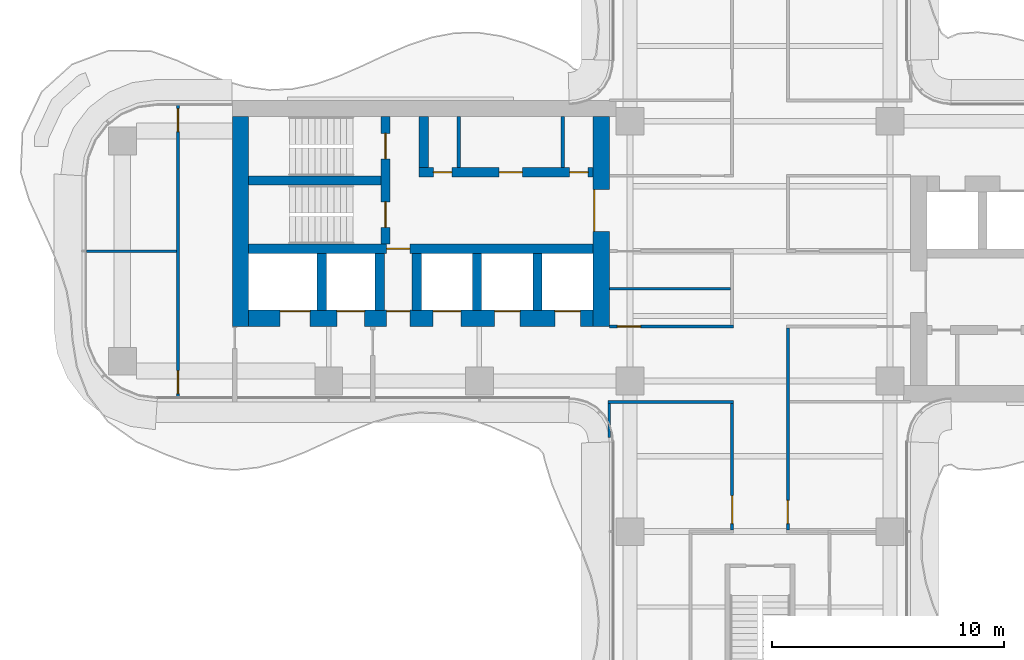
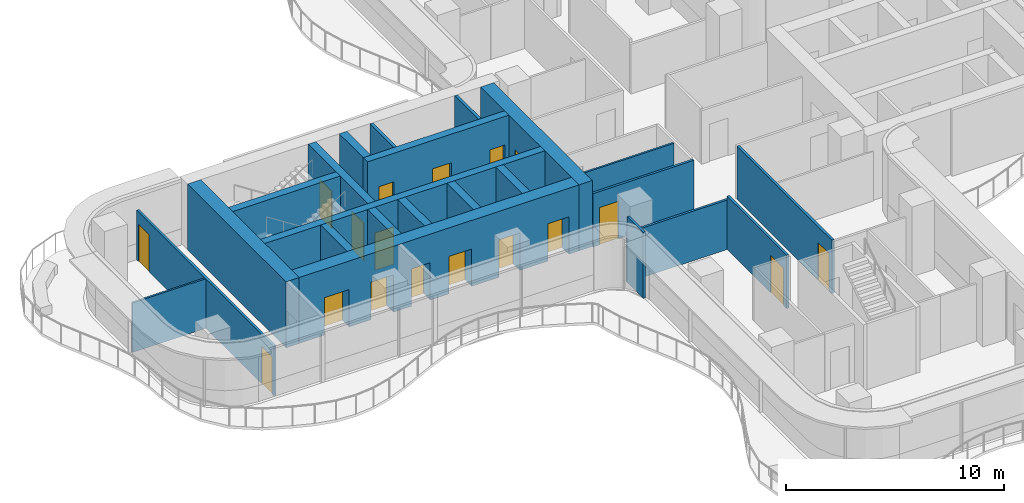
# One storey, part 13 of 18: 23 walls, 18 doors, 18 openings.
"""IFC4 building model written with IfcOpenShell, lengths in metres."""

from ifc_helpers import new_model, si_unit, direction, frame, frame_2d, origin, place, context, subcontext, project, spatial, rectangle, extrude, source, transform, mapped, material, layer, layer_set, type_object, element, fill, save


model = new_model("IFC4")

# Units and contexts
model_context = context("Model", 3, precision=1e-05, world=origin(), true_north=direction((0.0, 1.0)))
body_context = subcontext(model_context, "Body", "Model", "MODEL_VIEW")
ifc_project = project(units=[si_unit("LENGTHUNIT", "METRE"), si_unit("AREAUNIT", "SQUARE_METRE"), si_unit("VOLUMEUNIT", "CUBIC_METRE"), si_unit("PLANEANGLEUNIT", "RADIAN"), si_unit("MASSUNIT", "GRAM", prefix="KILO")], contexts=[model_context])

# Site, building, storey
site_placement = place(None, origin())
site = spatial("IfcSite", under=ifc_project, at=site_placement, CompositionType="ELEMENT")
building_placement = place(site_placement, origin())
building = spatial("IfcBuilding", under=site, at=building_placement, Name="Trellis Farm Tower", CompositionType="ELEMENT")
storey_placement = place(building_placement, frame((0.0, 0.0, 201.0)))
storey = spatial("IfcBuildingStorey", under=building, at=storey_placement, Name="L44", CompositionType="ELEMENT", Elevation=201.0)

# Wall, opening, door
ifc_material_1 = material(Name="Concrete C70/85", Category="concrete")
ifc_layer_1 = layer(ifc_material_1, 0.699951171875)
ifc_layer_set_1 = layer_set([ifc_layer_1], Name="CORE OUTER WALL 700 CONCRETE C70/85")
wall_type_1 = type_object("IfcWallType", Name="CORE OUTER WALL 700 CONCRETE C70/85", PredefinedType="SHEAR", material=ifc_layer_set_1)
shared_shape_1 = source(origin(), body_context, "Body", "SweptSolid", [
    extrude(rectangle(XDim=9.050048828125, YDim=0.699951171875, at=frame_2d((4.52490234375, 0.0))), origin(), (0.0, 0.0, 1.0), 3.699951171875),
])
wall_1_placement = place(storey_placement, frame((-6.85009765625, 5.800048828125, 0.0), z_axis=(0.0, 0.0, 1.0), x_axis=(0.0, -1.0, 0.0)))
wall_1 = element("IfcWall", 1, at=wall_1_placement, inside=storey, type_object=wall_type_1, Name="Core wall", PredefinedType="SHEAR", context=body_context, shape_type="MappedRepresentation", body=[
    mapped(shared_shape_1, transform((0.0, 0.0, 0.0))),
])
shared_shape_2 = source(origin(), body_context, "Body", "SweptSolid", [
    extrude(rectangle(XDim=1.800048828125, YDim=2.10009765625, at=frame_2d((0.89990234375, 1.050048828125))), frame((0.0, 0.360107421875, 0.0), z_axis=(0.0, -1.0, 0.0), x_axis=(1.0, 0.0, 0.0)), (0.0, 0.0, 1.0), 0.72021484375),
])
opening_1_placement = place(wall_1_placement, frame((3.14990234375, 0.0, 0.0)))
opening_1 = element("IfcOpeningElement", 2, at=opening_1_placement, cuts=wall_1, Name="Opening DC87", PredefinedType="OPENING", context=body_context, shape_type="MappedRepresentation", body=[
    mapped(shared_shape_2, transform((0.0, 0.0, 0.0))),
])
ifc_material_2 = material(Name="Steel", Category="steel")
door_type_1 = type_object("IfcDoorType", Name="CORE FIRE DOOR DOUBLE 1800 X 2100", OperationType="DOUBLE_DOOR_SINGLE_SWING", PredefinedType="DOOR", material=ifc_material_2)
shared_shape_3 = source(origin(), body_context, "Body", "SweptSolid", [
    extrude(rectangle(XDim=1.800048828125, YDim=2.10009765625, at=frame_2d((0.89990234375, 1.050048828125))), frame((0.0, -0.27490234375, 0.0), z_axis=(0.0, -1.0, 0.0), x_axis=(1.0, 0.0, 0.0)), (0.0, 0.0, 1.0), 0.050048828125),
])
door_1_placement = place(opening_1_placement, origin())
door_1 = element("IfcDoor", 3, at=door_1_placement, inside=storey, type_object=door_type_1, Name="Core door", OperationType="DOUBLE_DOOR_SINGLE_SWING", OverallHeight=2.10009765625, OverallWidth=1.800048828125, PredefinedType="DOOR", context=body_context, shape_type="MappedRepresentation", body=[
    mapped(shared_shape_3, transform((0.0, 0.0, 0.0))),
])
fill(opening_1, door_1)

# Walls
wall_2_placement = place(storey_placement, frame((-22.39990234375, 5.800048828125, 0.0), z_axis=(0.0, 0.0, 1.0), x_axis=(0.0, -1.0, 0.0)))
element("IfcWall", 4, at=wall_2_placement, inside=storey, type_object=wall_type_1, Name="Core wall", PredefinedType="SHEAR", context=body_context, shape_type="MappedRepresentation", body=[
    mapped(shared_shape_1, transform((0.0, 0.0, 0.0))),
])
ifc_layer_2 = layer(ifc_material_1, 0.39990234375)
ifc_layer_set_2 = layer_set([ifc_layer_2], Name="CORE INNER WALL 400 CONCRETE C70/85")
wall_type_2 = type_object("IfcWallType", Name="CORE INNER WALL 400 CONCRETE C70/85", PredefinedType="SHEAR", material=ifc_layer_set_2)
shared_shape_4 = source(origin(), body_context, "Body", "SweptSolid", [
    extrude(rectangle(XDim=2.449951171875, YDim=0.39990234375, at=frame_2d((1.22509765625, 0.0))), origin(), (0.0, 0.0, 1.0), 3.699951171875),
])
for number, where, z_axis, x_axis, name in (
    (5, (-9.60009765625, -0.10009765625, 0.0), (0.0, 0.0, 1.0), (0.0, -1.0, 0.0), "Core wall"),
    (6, (-12.199951171875, -0.10009765625, 0.0), (0.0, 0.0, 1.0), (0.0, -1.0, 0.0), "Core wall"),
    (7, (-14.800048828125, -0.10009765625, 0.0), (0.0, 0.0, 1.0), (0.0, -1.0, 0.0), "Core wall"),
    (8, (-16.39990234375, -0.10009765625, 0.0), (0.0, 0.0, 1.0), (0.0, -1.0, 0.0), "Core wall"),
    (9, (-18.89990234375, -0.10009765625, 0.0), (0.0, 0.0, 1.0), (0.0, -1.0, 0.0), "Core wall"),
):
    element("IfcWall", number, at=place(storey_placement, frame(where, z_axis=z_axis, x_axis=x_axis)), inside=storey, type_object=wall_type_2, Name=name, PredefinedType="SHEAR", context=body_context, shape_type="MappedRepresentation", body=[
        mapped(shared_shape_4, transform((0.0, 0.0, 0.0))),
    ])

# Wall, openings, doors
shared_shape_5 = source(origin(), body_context, "Body", "SweptSolid", [
    extrude(rectangle(XDim=14.85009765625, YDim=0.699951171875, at=frame_2d((7.425048828125, 0.0))), origin(), (0.0, 0.0, 1.0), 3.699951171875),
])
wall_3_placement = place(storey_placement, frame((-7.199951171875, -2.89990234375, 0.0), z_axis=(0.0, 0.0, 1.0), x_axis=(-1.0, 0.0, 0.0)))
wall_3 = element("IfcWall", 10, at=wall_3_placement, inside=storey, type_object=wall_type_1, Name="Core wall", PredefinedType="SHEAR", context=body_context, shape_type="MappedRepresentation", body=[
    mapped(shared_shape_5, transform((0.0, 0.0, 0.0))),
])
shared_shape_6 = source(origin(), body_context, "Body", "SweptSolid", [
    extrude(rectangle(XDim=1.10009765625, YDim=2.10009765625, at=frame_2d((0.550048828125, 1.050048828125))), frame((0.0, 0.360107421875, 0.0), z_axis=(0.0, -1.0, 0.0), x_axis=(1.0, 0.0, 0.0)), (0.0, 0.0, 1.0), 0.72021484375),
])
opening_2_placement = place(wall_3_placement, frame((0.550048828125, 0.0, 0.0)))
opening_2 = element("IfcOpeningElement", 11, at=opening_2_placement, cuts=wall_3, Name="Opening LD12", PredefinedType="OPENING", context=body_context, shape_type="MappedRepresentation", body=[
    mapped(shared_shape_6, transform((0.0, 0.0, 0.0))),
])
opening_3_placement = place(wall_3_placement, frame((3.14990234375, 0.0, 0.0)))
opening_3 = element("IfcOpeningElement", 12, at=opening_3_placement, cuts=wall_3, Name="Opening LD13", PredefinedType="OPENING", context=body_context, shape_type="MappedRepresentation", body=[
    mapped(shared_shape_6, transform((0.0, 0.0, 0.0))),
])
shared_shape_7 = source(origin(), body_context, "Body", "SweptSolid", [
    extrude(rectangle(XDim=1.199951171875, YDim=2.10009765625, at=frame_2d((0.60009765625, 1.050048828125))), frame((0.0, 0.360107421875, 0.0), z_axis=(0.0, -1.0, 0.0), x_axis=(1.0, 0.0, 0.0)), (0.0, 0.0, 1.0), 0.72021484375),
])
opening_4_placement = place(wall_3_placement, frame((5.699951171875, 0.0, 0.0)))
opening_4 = element("IfcOpeningElement", 13, at=opening_4_placement, cuts=wall_3, Name="Opening LD14", PredefinedType="OPENING", context=body_context, shape_type="MappedRepresentation", body=[
    mapped(shared_shape_7, transform((0.0, 0.0, 0.0))),
])
shared_shape_8 = source(origin(), body_context, "Body", "SweptSolid", [
    extrude(rectangle(XDim=1.300048828125, YDim=2.10009765625, at=frame_2d((0.64990234375, 1.050048828125))), frame((0.0, 0.360107421875, 0.0), z_axis=(0.0, -1.0, 0.0), x_axis=(1.0, 0.0, 0.0)), (0.0, 0.0, 1.0), 0.72021484375),
])
opening_5_placement = place(wall_3_placement, frame((12.199951171875, 0.0, 0.0)))
opening_5 = element("IfcOpeningElement", 14, at=opening_5_placement, cuts=wall_3, Name="Opening LD15", PredefinedType="OPENING", context=body_context, shape_type="MappedRepresentation", body=[
    mapped(shared_shape_8, transform((0.0, 0.0, 0.0))),
])
opening_6_placement = place(wall_3_placement, frame((9.85009765625, 0.0, 0.0)))
opening_6 = element("IfcOpeningElement", 15, at=opening_6_placement, cuts=wall_3, Name="Opening LD16", PredefinedType="OPENING", context=body_context, shape_type="MappedRepresentation", body=[
    mapped(shared_shape_7, transform((0.0, 0.0, 0.0))),
])
shared_shape_9 = source(origin(), body_context, "Body", "SweptSolid", [
    extrude(rectangle(XDim=1.0, YDim=2.10009765625, at=frame_2d((0.5, 1.050048828125))), frame((0.0, 0.360107421875, 0.0), z_axis=(0.0, -1.0, 0.0), x_axis=(1.0, 0.0, 0.0)), (0.0, 0.0, 1.0), 0.72021484375),
])
opening_7_placement = place(wall_3_placement, frame((7.89990234375, 0.0, 0.0)))
opening_7 = element("IfcOpeningElement", 16, at=opening_7_placement, cuts=wall_3, Name="Opening DC92", PredefinedType="OPENING", context=body_context, shape_type="MappedRepresentation", body=[
    mapped(shared_shape_9, transform((0.0, 0.0, 0.0))),
])
door_type_2 = type_object("IfcDoorType", Name="CORE FIRE DOOR 1000 X 2100", OperationType="NOTDEFINED", PredefinedType="DOOR", material=ifc_material_2)
shared_shape_10 = source(origin(), body_context, "Body", "SweptSolid", [
    extrude(rectangle(XDim=1.0, YDim=2.10009765625, at=frame_2d((0.5, 1.050048828125))), frame((0.0, -0.27490234375, 0.0), z_axis=(0.0, -1.0, 0.0), x_axis=(1.0, 0.0, 0.0)), (0.0, 0.0, 1.0), 0.050048828125),
])
door_2_placement = place(opening_7_placement, origin())
door_2 = element("IfcDoor", 17, at=door_2_placement, inside=storey, type_object=door_type_2, Name="Core door", OperationType="SINGLE_SWING_LEFT", OverallHeight=2.10009765625, OverallWidth=1.0, PredefinedType="DOOR", context=body_context, shape_type="MappedRepresentation", body=[
    mapped(shared_shape_10, transform((0.0, 0.0, 0.0))),
])
fill(opening_7, door_2)
ifc_material_3 = material(Name="Stainless steel", Category="steel")
door_type_3 = type_object("IfcDoorType", Name="LIFT LANDING DOOR 1300 X 2100", OperationType="DOUBLE_DOOR_SLIDING", PredefinedType="DOOR", material=ifc_material_3)
shared_shape_11 = source(origin(), body_context, "Body", "SweptSolid", [
    extrude(rectangle(XDim=1.300048828125, YDim=2.10009765625, at=frame_2d((0.64990234375, 1.050048828125))), frame((0.0, -0.27490234375, 0.0), z_axis=(0.0, -1.0, 0.0), x_axis=(1.0, 0.0, 0.0)), (0.0, 0.0, 1.0), 0.050048828125),
])
door_3_placement = place(opening_5_placement, origin())
door_3 = element("IfcDoor", 18, at=door_3_placement, inside=storey, type_object=door_type_3, Name="Lift landing door", OperationType="DOUBLE_DOOR_SLIDING", OverallHeight=2.10009765625, OverallWidth=1.300048828125, PredefinedType="DOOR", context=body_context, shape_type="MappedRepresentation", body=[
    mapped(shared_shape_11, transform((0.0, 0.0, 0.0))),
])
fill(opening_5, door_3)
door_type_4 = type_object("IfcDoorType", Name="LIFT LANDING DOOR 1200 X 2100", OperationType="DOUBLE_DOOR_SLIDING", PredefinedType="DOOR", material=ifc_material_3)
shared_shape_12 = source(origin(), body_context, "Body", "SweptSolid", [
    extrude(rectangle(XDim=1.199951171875, YDim=2.10009765625, at=frame_2d((0.60009765625, 1.050048828125))), frame((0.0, -0.27490234375, 0.0), z_axis=(0.0, -1.0, 0.0), x_axis=(1.0, 0.0, 0.0)), (0.0, 0.0, 1.0), 0.050048828125),
])
door_4_placement = place(opening_4_placement, origin())
door_4 = element("IfcDoor", 19, at=door_4_placement, inside=storey, type_object=door_type_4, Name="Lift landing door", OperationType="DOUBLE_DOOR_SLIDING", OverallHeight=2.10009765625, OverallWidth=1.199951171875, PredefinedType="DOOR", context=body_context, shape_type="MappedRepresentation", body=[
    mapped(shared_shape_12, transform((0.0, 0.0, 0.0))),
])
fill(opening_4, door_4)
door_5_placement = place(opening_6_placement, origin())
door_5 = element("IfcDoor", 20, at=door_5_placement, inside=storey, type_object=door_type_4, Name="Lift landing door", OperationType="DOUBLE_DOOR_SLIDING", OverallHeight=2.10009765625, OverallWidth=1.199951171875, PredefinedType="DOOR", context=body_context, shape_type="MappedRepresentation", body=[
    mapped(shared_shape_12, transform((0.0, 0.0, 0.0))),
])
fill(opening_6, door_5)
door_type_5 = type_object("IfcDoorType", Name="LIFT LANDING DOOR 1100 X 2100", OperationType="DOUBLE_DOOR_SLIDING", PredefinedType="DOOR", material=ifc_material_3)
shared_shape_13 = source(origin(), body_context, "Body", "SweptSolid", [
    extrude(rectangle(XDim=1.10009765625, YDim=2.10009765625, at=frame_2d((0.550048828125, 1.050048828125))), frame((0.0, -0.27490234375, 0.0), z_axis=(0.0, -1.0, 0.0), x_axis=(1.0, 0.0, 0.0)), (0.0, 0.0, 1.0), 0.050048828125),
])
door_6_placement = place(opening_2_placement, origin())
door_6 = element("IfcDoor", 21, at=door_6_placement, inside=storey, type_object=door_type_5, Name="Lift landing door", OperationType="DOUBLE_DOOR_SLIDING", OverallHeight=2.10009765625, OverallWidth=1.10009765625, PredefinedType="DOOR", context=body_context, shape_type="MappedRepresentation", body=[
    mapped(shared_shape_13, transform((0.0, 0.0, 0.0))),
])
fill(opening_2, door_6)
door_7_placement = place(opening_3_placement, origin())
door_7 = element("IfcDoor", 22, at=door_7_placement, inside=storey, type_object=door_type_5, Name="Lift landing door", OperationType="DOUBLE_DOOR_SLIDING", OverallHeight=2.10009765625, OverallWidth=1.10009765625, PredefinedType="DOOR", context=body_context, shape_type="MappedRepresentation", body=[
    mapped(shared_shape_13, transform((0.0, 0.0, 0.0))),
])
fill(opening_3, door_7)

shared_shape_14 = source(origin(), body_context, "Body", "SweptSolid", [
    extrude(rectangle(XDim=7.5, YDim=0.39990234375, at=frame_2d((3.75, 0.0))), origin(), (0.0, 0.0, 1.0), 3.699951171875),
])
wall_4_placement = place(storey_placement, frame((-7.199951171875, 3.39990234375, 0.0), z_axis=(0.0, 0.0, 1.0), x_axis=(-1.0, 0.0, 0.0)))
wall_4 = element("IfcWall", 23, at=wall_4_placement, inside=storey, type_object=wall_type_2, Name="Core wall", PredefinedType="SHEAR", context=body_context, shape_type="MappedRepresentation", body=[
    mapped(shared_shape_14, transform((0.0, 0.0, 0.0))),
])
shared_shape_15 = source(origin(), body_context, "Body", "SweptSolid", [
    extrude(rectangle(XDim=0.800048828125, YDim=2.10009765625, at=frame_2d((0.39990234375, 1.050048828125))), frame((0.0, 0.2099609375, 0.0), z_axis=(0.0, -1.0, 0.0), x_axis=(1.0, 0.0, 0.0)), (0.0, 0.0, 1.0), 0.419921875),
])
opening_8_placement = place(wall_4_placement, frame((0.21240234375, 0.0, 0.0)))
opening_8 = element("IfcOpeningElement", 24, at=opening_8_placement, cuts=wall_4, Name="Opening DC137", PredefinedType="OPENING", context=body_context, shape_type="MappedRepresentation", body=[
    mapped(shared_shape_15, transform((0.0, 0.0, 0.0))),
])
shared_shape_16 = source(origin(), body_context, "Body", "SweptSolid", [
    extrude(rectangle(XDim=1.0, YDim=2.10009765625, at=frame_2d((0.5, 1.050048828125))), frame((0.0, 0.2099609375, 0.0), z_axis=(0.0, -1.0, 0.0), x_axis=(1.0, 0.0, 0.0)), (0.0, 0.0, 1.0), 0.419921875),
])
opening_9_placement = place(wall_4_placement, frame((3.050048828125, 0.0, 0.0)))
opening_9 = element("IfcOpeningElement", 25, at=opening_9_placement, cuts=wall_4, Name="Opening DC148", PredefinedType="OPENING", context=body_context, shape_type="MappedRepresentation", body=[
    mapped(shared_shape_16, transform((0.0, 0.0, 0.0))),
])
opening_10_placement = place(wall_4_placement, frame((6.08740234375, 0.0, 0.0)))
opening_10 = element("IfcOpeningElement", 26, at=opening_10_placement, cuts=wall_4, Name="Opening DC149", PredefinedType="OPENING", context=body_context, shape_type="MappedRepresentation", body=[
    mapped(shared_shape_15, transform((0.0, 0.0, 0.0))),
])
shared_shape_17 = source(origin(), body_context, "Body", "SweptSolid", [
    extrude(rectangle(XDim=1.0, YDim=2.10009765625, at=frame_2d((0.5, 1.050048828125))), frame((0.0, 0.02490234375, 0.0), z_axis=(0.0, -1.0, 0.0), x_axis=(1.0, 0.0, 0.0)), (0.0, 0.0, 1.0), 0.050048828125),
])
door_8_placement = place(opening_9_placement, origin())
door_8 = element("IfcDoor", 27, at=door_8_placement, inside=storey, type_object=door_type_2, Name="Core door", OperationType="SINGLE_SWING_RIGHT", OverallHeight=2.10009765625, OverallWidth=1.0, PredefinedType="DOOR", context=body_context, shape_type="MappedRepresentation", body=[
    mapped(shared_shape_17, transform((0.0, 0.0, 0.0))),
])
fill(opening_9, door_8)
door_type_6 = type_object("IfcDoorType", Name="CORE FIRE DOOR 800 X 2100", OperationType="NOTDEFINED", PredefinedType="DOOR", material=ifc_material_2)
shared_shape_18 = source(origin(), body_context, "Body", "SweptSolid", [
    extrude(rectangle(XDim=0.800048828125, YDim=2.10009765625, at=frame_2d((0.39990234375, 1.050048828125))), frame((0.0, 0.02490234375, 0.0), z_axis=(0.0, -1.0, 0.0), x_axis=(1.0, 0.0, 0.0)), (0.0, 0.0, 1.0), 0.050048828125),
])
door_9_placement = place(opening_8_placement, origin())
door_9 = element("IfcDoor", 28, at=door_9_placement, inside=storey, type_object=door_type_6, Name="Core door", OperationType="SINGLE_SWING_LEFT", OverallHeight=2.10009765625, OverallWidth=0.800048828125, PredefinedType="DOOR", context=body_context, shape_type="MappedRepresentation", body=[
    mapped(shared_shape_18, transform((0.0, 0.0, 0.0))),
])
fill(opening_8, door_9)
door_10_placement = place(opening_10_placement, origin())
door_10 = element("IfcDoor", 29, at=door_10_placement, inside=storey, type_object=door_type_6, Name="Core door", OperationType="SINGLE_SWING_LEFT", OverallHeight=2.10009765625, OverallWidth=0.800048828125, PredefinedType="DOOR", context=body_context, shape_type="MappedRepresentation", body=[
    mapped(shared_shape_18, transform((0.0, 0.0, 0.0))),
])
fill(opening_10, door_10)

# Wall, opening, door
shared_shape_19 = source(origin(), body_context, "Body", "SweptSolid", [
    extrude(rectangle(XDim=14.85009765625, YDim=0.39990234375, at=frame_2d((7.425048828125, 0.0))), origin(), (0.0, 0.0, 1.0), 3.699951171875),
])
wall_5_placement = place(storey_placement, frame((-7.199951171875, 0.10009765625, 0.0), z_axis=(0.0, 0.0, 1.0), x_axis=(-1.0, 0.0, 0.0)))
wall_5 = element("IfcWall", 30, at=wall_5_placement, inside=storey, type_object=wall_type_2, Name="Core wall", PredefinedType="SHEAR", context=body_context, shape_type="MappedRepresentation", body=[
    mapped(shared_shape_19, transform((0.0, 0.0, 0.0))),
])
opening_11_placement = place(wall_5_placement, frame((7.89990234375, 0.0, 0.0)))
opening_11 = element("IfcOpeningElement", 31, at=opening_11_placement, cuts=wall_5, Name="Opening DC91", PredefinedType="OPENING", context=body_context, shape_type="MappedRepresentation", body=[
    mapped(shared_shape_16, transform((0.0, 0.0, 0.0))),
])
door_11_placement = place(opening_11_placement, origin())
door_11 = element("IfcDoor", 32, at=door_11_placement, inside=storey, type_object=door_type_2, Name="Core door", OperationType="SINGLE_SWING_RIGHT", OverallHeight=2.10009765625, OverallWidth=1.0, PredefinedType="DOOR", context=body_context, shape_type="MappedRepresentation", body=[
    mapped(shared_shape_17, transform((0.0, 0.0, 0.0))),
])
fill(opening_11, door_11)

# Wall, openings, doors
shared_shape_20 = source(origin(), body_context, "Body", "SweptSolid", [
    extrude(rectangle(XDim=5.5, YDim=0.39990234375, at=frame_2d((2.75, 0.0))), origin(), (0.0, 0.0, 1.0), 3.699951171875),
])
wall_6_placement = place(storey_placement, frame((-16.14990234375, 5.800048828125, 0.0), z_axis=(0.0, 0.0, 1.0), x_axis=(0.0, -1.0, 0.0)))
wall_6 = element("IfcWall", 33, at=wall_6_placement, inside=storey, type_object=wall_type_2, Name="Core wall", PredefinedType="SHEAR", context=body_context, shape_type="MappedRepresentation", body=[
    mapped(shared_shape_20, transform((0.0, 0.0, 0.0))),
])
shared_shape_21 = source(origin(), body_context, "Body", "SweptSolid", [
    extrude(rectangle(XDim=1.10009765625, YDim=2.10009765625, at=frame_2d((0.550048828125, 1.050048828125))), frame((0.0, 0.2099609375, 0.0), z_axis=(0.0, -1.0, 0.0), x_axis=(1.0, 0.0, 0.0)), (0.0, 0.0, 1.0), 0.419921875),
])
opening_12_placement = place(wall_6_placement, frame((0.72509765625, 0.0, 0.0)))
opening_12 = element("IfcOpeningElement", 34, at=opening_12_placement, cuts=wall_6, Name="Opening DC88", PredefinedType="OPENING", context=body_context, shape_type="MappedRepresentation", body=[
    mapped(shared_shape_21, transform((0.0, 0.0, 0.0))),
])
opening_13_placement = place(wall_6_placement, frame((3.675048828125, 0.0, 0.0)))
opening_13 = element("IfcOpeningElement", 35, at=opening_13_placement, cuts=wall_6, Name="Opening DC89", PredefinedType="OPENING", context=body_context, shape_type="MappedRepresentation", body=[
    mapped(shared_shape_21, transform((0.0, 0.0, 0.0))),
])
door_type_7 = type_object("IfcDoorType", Name="CORE FIRE DOOR 1100 X 2100", OperationType="NOTDEFINED", PredefinedType="DOOR", material=ifc_material_2)
shared_shape_22 = source(origin(), body_context, "Body", "SweptSolid", [
    extrude(rectangle(XDim=1.10009765625, YDim=2.10009765625, at=frame_2d((0.550048828125, 1.050048828125))), frame((0.0, 0.02490234375, 0.0), z_axis=(0.0, -1.0, 0.0), x_axis=(1.0, 0.0, 0.0)), (0.0, 0.0, 1.0), 0.050048828125),
])
door_12_placement = place(opening_12_placement, origin())
door_12 = element("IfcDoor", 36, at=door_12_placement, inside=storey, type_object=door_type_7, Name="Core door", OperationType="SINGLE_SWING_RIGHT", OverallHeight=2.10009765625, OverallWidth=1.10009765625, PredefinedType="DOOR", context=body_context, shape_type="MappedRepresentation", body=[
    mapped(shared_shape_22, transform((0.0, 0.0, 0.0))),
])
fill(opening_12, door_12)
door_13_placement = place(opening_13_placement, origin())
door_13 = element("IfcDoor", 37, at=door_13_placement, inside=storey, type_object=door_type_7, Name="Core door", OperationType="SINGLE_SWING_LEFT", OverallHeight=2.10009765625, OverallWidth=1.10009765625, PredefinedType="DOOR", context=body_context, shape_type="MappedRepresentation", body=[
    mapped(shared_shape_22, transform((0.0, 0.0, 0.0))),
])
fill(opening_13, door_13)

# Walls
shared_shape_23 = source(origin(), body_context, "Body", "SweptSolid", [
    extrude(rectangle(XDim=5.699951171875, YDim=0.39990234375, at=frame_2d((2.85009765625, 0.0))), origin(), (0.0, 0.0, 1.0), 3.699951171875),
])
wall_7_placement = place(storey_placement, frame((-16.35009765625, 3.050048828125, 0.0), z_axis=(0.0, 0.0, 1.0), x_axis=(-1.0, 0.0, 0.0)))
element("IfcWall", 38, at=wall_7_placement, inside=storey, type_object=wall_type_2, Name="Core wall", PredefinedType="SHEAR", context=body_context, shape_type="MappedRepresentation", body=[
    mapped(shared_shape_23, transform((0.0, 0.0, 0.0))),
])
shared_shape_24 = source(origin(), body_context, "Body", "SweptSolid", [
    extrude(rectangle(XDim=2.199951171875, YDim=0.39990234375, at=frame_2d((1.10009765625, 0.0))), origin(), (0.0, 0.0, 1.0), 3.699951171875),
])
wall_8_placement = place(storey_placement, frame((-14.5, 5.800048828125, 0.0), z_axis=(0.0, 0.0, 1.0), x_axis=(0.0, -1.0, 0.0)))
element("IfcWall", 39, at=wall_8_placement, inside=storey, type_object=wall_type_2, Name="Core wall", PredefinedType="SHEAR", context=body_context, shape_type="MappedRepresentation", body=[
    mapped(shared_shape_24, transform((0.0, 0.0, 0.0))),
])
ifc_material_4 = material(Name="Masonry blockwork", Category="masonry")
ifc_layer_3 = layer(ifc_material_4, 0.14990234375)
ifc_layer_set_3 = layer_set([ifc_layer_3], Name="CORE PARTITION 150 BLOCKWORK")
wall_type_3 = type_object("IfcWallType", Name="CORE PARTITION 150 BLOCKWORK", PredefinedType="PARTITIONING", material=ifc_layer_set_3)
shared_shape_25 = source(origin(), body_context, "Body", "SweptSolid", [
    extrude(rectangle(XDim=2.199951171875, YDim=0.14990234375, at=frame_2d((1.10009765625, 0.0))), origin(), (0.0, 0.0, 1.0), 3.699951171875),
])
for number, where, z_axis, x_axis, name in (
    (40, (-8.5, 5.800048828125, 0.0), (0.0, 0.0, 1.0), (0.0, -1.0, 0.0), "Core room partition"),
    (41, (-13.0, 5.800048828125, 0.0), (0.0, 0.0, 1.0), (0.0, -1.0, 0.0), "Core room partition"),
):
    element("IfcWall", number, at=place(storey_placement, frame(where, z_axis=z_axis, x_axis=x_axis)), inside=storey, type_object=wall_type_3, Name=name, PredefinedType="PARTITIONING", context=body_context, shape_type="MappedRepresentation", body=[
        mapped(shared_shape_25, transform((0.0, 0.0, 0.0))),
    ])

# Wall, opening, door
ifc_material_5 = material(Name="Plasterboard on steel studs, mineral wool", Category="steel")
ifc_layer_4 = layer(ifc_material_5, 0.125)
ifc_layer_set_4 = layer_set([ifc_layer_4], Name="PARTITION 125 STUD EI 60")
wall_type_4 = type_object("IfcWallType", Name="PARTITION 125 STUD EI 60", PredefinedType="PARTITIONING", material=ifc_layer_set_4)
shared_shape_26 = source(origin(), body_context, "Body", "SweptSolid", [
    extrude(rectangle(XDim=5.47509765625, YDim=0.125, at=frame_2d((2.737548828125, 0.0))), origin(), (0.0, 0.0, 1.0), 2.99658203125),
])
wall_9_placement = place(storey_placement, frame((-1.199951171875, -12.03759765625, 0.0), z_axis=(0.0, 0.0, 1.0), x_axis=(0.0, 1.0, 0.0)))
wall_9 = element("IfcWall", 42, at=wall_9_placement, inside=storey, type_object=wall_type_4, Name="Partition PW1", PredefinedType="PARTITIONING", context=body_context, shape_type="MappedRepresentation", body=[
    mapped(shared_shape_26, transform((0.0, 0.0, 0.0))),
])
shared_shape_27 = source(origin(), body_context, "Body", "SweptSolid", [
    extrude(rectangle(XDim=1.199951171875, YDim=2.10009765625, at=frame_2d((0.60009765625, 1.050048828125))), frame((0.0, 0.072509765625, 0.0), z_axis=(0.0, -1.0, 0.0), x_axis=(1.0, 0.0, 0.0)), (0.0, 0.0, 1.0), 0.14501953125),
])
opening_14_placement = place(wall_9_placement, frame((0.28759765625, 0.0, 0.0)))
opening_14 = element("IfcOpeningElement", 43, at=opening_14_placement, cuts=wall_9, Name="Opening D601", PredefinedType="OPENING", context=body_context, shape_type="MappedRepresentation", body=[
    mapped(shared_shape_27, transform((0.0, 0.0, 0.0))),
])
ifc_material_6 = material(Name="Fire-rated timber door leaf in a hollow metal frame", Category="wood")
door_type_8 = type_object("IfcDoorType", Name="DOOR 1200x2100 FD30S", OperationType="NOTDEFINED", PredefinedType="DOOR", material=ifc_material_6)
shared_shape_28 = source(origin(), body_context, "Body", "SweptSolid", [
    extrude(rectangle(XDim=1.199951171875, YDim=2.10009765625, at=frame_2d((0.60009765625, 1.050048828125))), frame((0.0, 0.02490234375, 0.0), z_axis=(0.0, -1.0, 0.0), x_axis=(1.0, 0.0, 0.0)), (0.0, 0.0, 1.0), 0.050048828125),
])
door_14_placement = place(opening_14_placement, origin())
door_14 = element("IfcDoor", 44, at=door_14_placement, inside=storey, type_object=door_type_8, Name="Door D601", OperationType="SINGLE_SWING_LEFT", OverallHeight=2.10009765625, OverallWidth=1.199951171875, PredefinedType="DOOR", context=body_context, shape_type="MappedRepresentation", body=[
    mapped(shared_shape_28, transform((0.0, 0.0, 0.0))),
])
fill(opening_14, door_14)

# Wall
shared_shape_29 = source(origin(), body_context, "Body", "SweptSolid", [
    extrude(rectangle(XDim=1.468994140625, YDim=0.125, at=frame_2d((0.734375, 0.0))), origin(), (0.0, 0.0, 1.0), 3.699951171875),
])
wall_10_placement = place(storey_placement, frame((-6.5, -6.5625, 0.0), z_axis=(0.0, 0.0, 1.0), x_axis=(0.0, -1.0, 0.0)))
element("IfcWall", 45, at=wall_10_placement, inside=storey, type_object=wall_type_4, Name="Partition PW1", PredefinedType="PARTITIONING", context=body_context, shape_type="MappedRepresentation", body=[
    mapped(shared_shape_29, transform((0.0, 0.0, 0.0))),
])

# Wall, openings, doors
shared_shape_30 = source(origin(), body_context, "Body", "SweptSolid", [
    extrude(rectangle(XDim=12.60009765625, YDim=0.125, at=frame_2d((6.300048828125, 0.0))), origin(), (0.0, 0.0, 1.0), 2.780029296875),
])
wall_11_placement = place(storey_placement, frame((-25.10009765625, -6.300048828125, 0.0), z_axis=(0.0, 0.0, 1.0), x_axis=(0.0, 1.0, 0.0)))
wall_11 = element("IfcWall", 46, at=wall_11_placement, inside=storey, type_object=wall_type_4, Name="Partition PW1", PredefinedType="PARTITIONING", context=body_context, shape_type="MappedRepresentation", body=[
    mapped(shared_shape_30, transform((0.0, 0.0, 0.0))),
])
shared_shape_31 = source(origin(), body_context, "Body", "SweptSolid", [
    extrude(rectangle(XDim=1.0, YDim=2.10009765625, at=frame_2d((0.5, 1.050048828125))), frame((0.0, 0.072509765625, 0.0), z_axis=(0.0, -1.0, 0.0), x_axis=(1.0, 0.0, 0.0)), (0.0, 0.0, 1.0), 0.14501953125),
])
opening_15_placement = place(wall_11_placement, frame((0.14990234375, 0.0, 0.0)))
opening_15 = element("IfcOpeningElement", 47, at=opening_15_placement, cuts=wall_11, Name="Opening D104", PredefinedType="OPENING", context=body_context, shape_type="MappedRepresentation", body=[
    mapped(shared_shape_31, transform((0.0, 0.0, 0.0))),
])
opening_16_placement = place(wall_11_placement, frame((11.449951171875, 0.0, 0.0)))
opening_16 = element("IfcOpeningElement", 48, at=opening_16_placement, cuts=wall_11, Name="Opening D109", PredefinedType="OPENING", context=body_context, shape_type="MappedRepresentation", body=[
    mapped(shared_shape_31, transform((0.0, 0.0, 0.0))),
])
door_type_9 = type_object("IfcDoorType", Name="DOOR 1000x2100 FD30S", OperationType="NOTDEFINED", PredefinedType="DOOR", material=ifc_material_6)
door_15_placement = place(opening_15_placement, origin())
door_15 = element("IfcDoor", 49, at=door_15_placement, inside=storey, type_object=door_type_9, Name="Door D104", OperationType="SINGLE_SWING_LEFT", OverallHeight=2.10009765625, OverallWidth=1.0, PredefinedType="DOOR", context=body_context, shape_type="MappedRepresentation", body=[
    mapped(shared_shape_17, transform((0.0, 0.0, 0.0))),
])
fill(opening_15, door_15)
door_16_placement = place(opening_16_placement, origin())
door_16 = element("IfcDoor", 50, at=door_16_placement, inside=storey, type_object=door_type_9, Name="Door D109", OperationType="SINGLE_SWING_RIGHT", OverallHeight=2.10009765625, OverallWidth=1.0, PredefinedType="DOOR", context=body_context, shape_type="MappedRepresentation", body=[
    mapped(shared_shape_17, transform((0.0, 0.0, 0.0))),
])
fill(opening_16, door_16)

# Wall, opening, door
shared_shape_32 = source(origin(), body_context, "Body", "SweptSolid", [
    extrude(rectangle(XDim=5.362548828125, YDim=0.125, at=frame_2d((2.68115234375, 0.0))), origin(), (0.0, 0.0, 1.0), 2.99658203125),
])
wall_12_placement = place(storey_placement, frame((-1.137451171875, -3.25, 0.0), z_axis=(0.0, 0.0, 1.0), x_axis=(-1.0, 0.0, 0.0)))
wall_12 = element("IfcWall", 51, at=wall_12_placement, inside=storey, type_object=wall_type_4, Name="Partition PW1", PredefinedType="PARTITIONING", context=body_context, shape_type="MappedRepresentation", body=[
    mapped(shared_shape_32, transform((0.0, 0.0, 0.0))),
])
opening_17_placement = place(wall_12_placement, frame((4.012451171875, 0.0, 0.0)))
opening_17 = element("IfcOpeningElement", 52, at=opening_17_placement, cuts=wall_12, Name="Opening D105", PredefinedType="OPENING", context=body_context, shape_type="MappedRepresentation", body=[
    mapped(shared_shape_31, transform((0.0, 0.0, 0.0))),
])
door_17_placement = place(opening_17_placement, origin())
door_17 = element("IfcDoor", 53, at=door_17_placement, inside=storey, type_object=door_type_9, Name="Door D105", OperationType="SINGLE_SWING_RIGHT", OverallHeight=2.10009765625, OverallWidth=1.0, PredefinedType="DOOR", context=body_context, shape_type="MappedRepresentation", body=[
    mapped(shared_shape_17, transform((0.0, 0.0, 0.0))),
])
fill(opening_17, door_17)

# Walls
ifc_material_7 = material(Name="Plasterboard on steel studs", Category="steel")
ifc_layer_5 = layer(ifc_material_7, 0.10009765625)
ifc_layer_set_5 = layer_set([ifc_layer_5], Name="PARTITION 100 STUD EI 30")
wall_type_5 = type_object("IfcWallType", Name="PARTITION 100 STUD EI 30", PredefinedType="PARTITIONING", material=ifc_layer_set_5)
shared_shape_33 = source(origin(), body_context, "Body", "SweptSolid", [
    extrude(rectangle(XDim=3.887451171875, YDim=0.10009765625, at=frame_2d((1.94384765625, 0.0))), origin(), (0.0, 0.0, 1.0), 2.780029296875),
])
wall_13_placement = place(storey_placement, frame((-29.050048828125, 0.0, 0.0), z_axis=(0.0, 0.0, 1.0), x_axis=(1.0, 0.0, 0.0)))
element("IfcWall", 54, at=wall_13_placement, inside=storey, type_object=wall_type_5, Name="Partition PW2", PredefinedType="PARTITIONING", context=body_context, shape_type="MappedRepresentation", body=[
    mapped(shared_shape_33, transform((0.0, 0.0, 0.0))),
])
shared_shape_34 = source(origin(), body_context, "Body", "SweptSolid", [
    extrude(rectangle(XDim=5.237548828125, YDim=0.10009765625, at=frame_2d((2.61865234375, 0.0))), origin(), (0.0, 0.0, 1.0), 2.99658203125),
])
wall_14_placement = place(storey_placement, frame((-6.5, -1.625, 0.0), z_axis=(0.0, 0.0, 1.0), x_axis=(1.0, 0.0, 0.0)))
element("IfcWall", 55, at=wall_14_placement, inside=storey, type_object=wall_type_5, Name="Partition PW2", PredefinedType="PARTITIONING", context=body_context, shape_type="MappedRepresentation", body=[
    mapped(shared_shape_34, transform((0.0, 0.0, 0.0))),
])

# Wall, opening, door
shared_shape_35 = source(origin(), body_context, "Body", "SweptSolid", [
    extrude(rectangle(XDim=8.72509765625, YDim=0.125, at=frame_2d((4.362548828125, 0.0))), origin(), (0.0, 0.0, 1.0), 2.99658203125),
])
wall_15_placement = place(storey_placement, frame((1.199951171875, -3.3125, 0.0), z_axis=(0.0, 0.0, 1.0), x_axis=(0.0, -1.0, 0.0)))
wall_15 = element("IfcWall", 56, at=wall_15_placement, inside=storey, type_object=wall_type_4, Name="Partition PW1", PredefinedType="PARTITIONING", context=body_context, shape_type="MappedRepresentation", body=[
    mapped(shared_shape_35, transform((0.0, 0.0, 0.0))),
])
opening_18_placement = place(wall_15_placement, frame((7.4375, 0.0, 0.0)))
opening_18 = element("IfcOpeningElement", 57, at=opening_18_placement, cuts=wall_15, Name="Opening D103", PredefinedType="OPENING", context=body_context, shape_type="MappedRepresentation", body=[
    mapped(shared_shape_31, transform((0.0, 0.0, 0.0))),
])
door_18_placement = place(opening_18_placement, origin())
door_18 = element("IfcDoor", 58, at=door_18_placement, inside=storey, type_object=door_type_9, Name="Door D103", OperationType="SINGLE_SWING_RIGHT", OverallHeight=2.10009765625, OverallWidth=1.0, PredefinedType="DOOR", context=body_context, shape_type="MappedRepresentation", body=[
    mapped(shared_shape_17, transform((0.0, 0.0, 0.0))),
])
fill(opening_18, door_18)

# Wall
shared_shape_36 = source(origin(), body_context, "Body", "SweptSolid", [
    extrude(rectangle(XDim=5.425048828125, YDim=0.125, at=frame_2d((2.71240234375, 0.0))), origin(), (0.0, 0.0, 1.0), 2.780029296875),
])
wall_16_placement = place(storey_placement, frame((-1.137451171875, -6.5, 0.0), z_axis=(0.0, 0.0, 1.0), x_axis=(-1.0, 0.0, 0.0)))
element("IfcWall", 59, at=wall_16_placement, inside=storey, type_object=wall_type_4, Name="Partition PW1", PredefinedType="PARTITIONING", context=body_context, shape_type="MappedRepresentation", body=[
    mapped(shared_shape_36, transform((0.0, 0.0, 0.0))),
])

save(model, "model.ifc")
